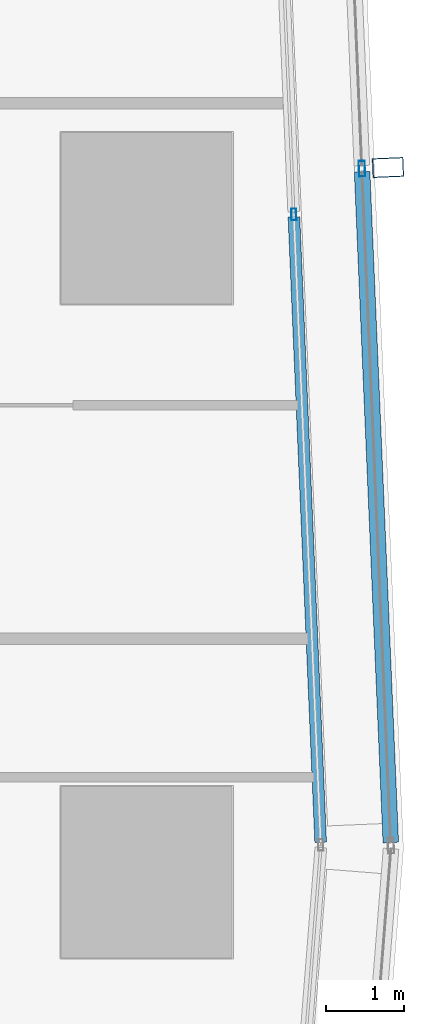
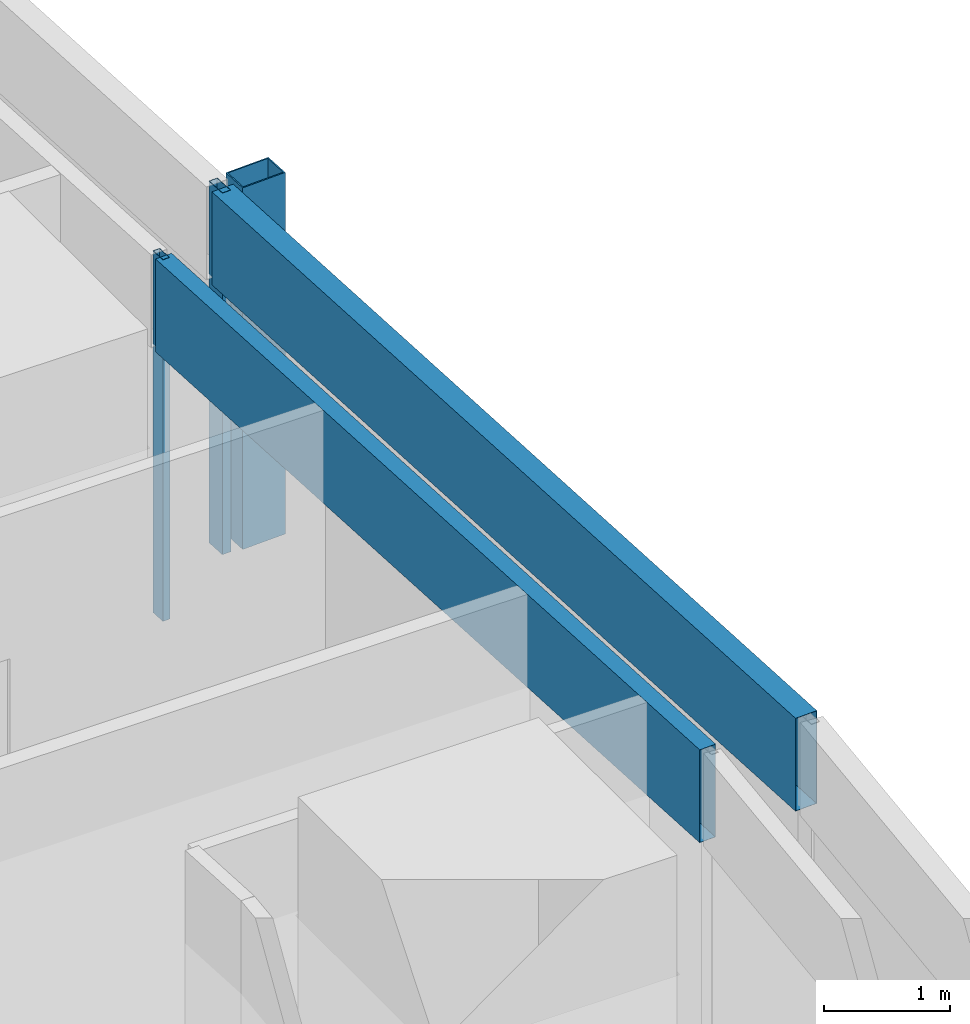
# One storey, part 27 of 45: 5 members, 2 elements without a shape of their own.
"""IFC4 building model written with IfcOpenShell, lengths in metres."""

from ifc_helpers import new_model, si_unit, direction, frame, origin, origin_2d, place, context, subcontext, project, spatial, hollow_rectangle, extrude, material, material_profile, profile_set, type_object, element, aggregate, save


model = new_model("IFC4")

# Units and contexts
model_context = context("Model", 3, precision=1e-05, world=origin(), true_north=direction((0.0, 1.0)))
body_context = subcontext(model_context, "Body", "Model", "MODEL_VIEW")
ifc_project = project(units=[si_unit("LENGTHUNIT", "METRE"), si_unit("AREAUNIT", "SQUARE_METRE"), si_unit("VOLUMEUNIT", "CUBIC_METRE"), si_unit("PLANEANGLEUNIT", "RADIAN"), si_unit("MASSUNIT", "GRAM", prefix="KILO")], contexts=[model_context])

# Site, building, storey
site_placement = place(None, origin())
site = spatial("IfcSite", under=ifc_project, at=site_placement, CompositionType="ELEMENT")
building_placement = place(site_placement, origin())
building = spatial("IfcBuilding", under=site, at=building_placement, Name="Rekha Terrace Tower", CompositionType="ELEMENT")
storey_placement = place(building_placement, frame((0.0, 0.0, 44.14990234375)))
storey = spatial("IfcBuildingStorey", under=building, at=storey_placement, Name="L10", CompositionType="ELEMENT", Elevation=44.14990234375)

# Curtain wall, member
ifc_material_1 = material(Name="Aluminium framing", Category="aluminium")
curtain_wall_type_1 = type_object("IfcCurtainWallType", Name="CW2 double skin outer glazing", PredefinedType="USERDEFINED", material=ifc_material_1)
curtain_wall_1_placement = place(storey_placement, origin())
curtain_wall_1 = element("IfcCurtainWall", 1, at=curtain_wall_1_placement, inside=storey, type_object=curtain_wall_type_1, Name="CW2 double skin outer glazing", ObjectType="DOUBLE SKIN OUTER GLAZING", PredefinedType="USERDEFINED")
ifc_material_2 = material(Name="Steel S355 with fluorocarbon finish", Category="steel")
ifc_material_profile_1 = material_profile(ifc_material_2, hollow_rectangle(XDim=0.25, YDim=0.39990234375, WallThickness=0.012451171875, at=origin_2d()), Name="RHS400x250x12.5")
ifc_profile_set_1 = profile_set([ifc_material_profile_1], Name="Steel S355 with fluorocarbon finish")
member_type_1 = type_object("IfcMemberType", Name="BL1 facade blade RHS 400 x 250", PredefinedType="USERDEFINED", material=ifc_profile_set_1)
member_1_placement = place(storey_placement, frame((70.301025390625, 34.2529296875, 0.0), z_axis=(0.0, 0.0, 1.0), x_axis=(-0.04269522475, 0.99908814315, 0.0)))
member_1 = element("IfcMember", 2, at=member_1_placement, type_object=member_type_1, Name="Facade blade", ObjectType="FACADE BLADE", PredefinedType="USERDEFINED", context=body_context, shape_type="SweptSolid", body=[
    extrude(hollow_rectangle(XDim=0.25, YDim=0.39990234375, WallThickness=0.012451171875, at=origin_2d()), origin(), (0.0, 0.0, 1.0), 3.5),
])

# Curtain wall, members
curtain_wall_type_2 = type_object("IfcCurtainWallType", Name="CW1 double skin inner glazing", PredefinedType="USERDEFINED", material=ifc_material_1)
curtain_wall_2_placement = place(storey_placement, origin())
curtain_wall_2 = element("IfcCurtainWall", 3, at=curtain_wall_2_placement, inside=storey, type_object=curtain_wall_type_2, Name="CW1 double skin inner glazing", ObjectType="DOUBLE SKIN INNER GLAZING", PredefinedType="USERDEFINED")
ifc_material_3 = material(Name="Aluminium mullion section", Category="aluminium")
ifc_material_profile_2 = material_profile(ifc_material_3, hollow_rectangle(XDim=0.06494140625, YDim=0.14990234375, WallThickness=0.00390625, at=origin_2d()), Name="AL RHS 65x150")
ifc_profile_set_2 = profile_set([ifc_material_profile_2], Name="Aluminium mullion section")
member_type_2 = type_object("IfcMemberType", Name="CW1 mullion RHS 65 x 150", PredefinedType="MULLION", material=ifc_profile_set_2)
member_2_placement = place(storey_placement, frame((69.0908203125, 33.650390625, 0.0), z_axis=(0.0, 0.0, 1.0), x_axis=(-0.999088106904, -0.042696072921, 0.0)))
member_2 = element("IfcMember", 4, at=member_2_placement, type_object=member_type_2, Name="CW1 mullion 2", PredefinedType="MULLION", context=body_context, shape_type="SweptSolid", body=[
    extrude(hollow_rectangle(XDim=0.06494140625, YDim=0.14990234375, WallThickness=0.00390625, at=origin_2d()), origin(), (0.0, 0.0, 1.0), 3.5),
])
ifc_material_4 = material(Name="Insulated aluminium spandrel box", Category="aluminium")
ifc_material_profile_3 = material_profile(ifc_material_4, hollow_rectangle(XDim=0.14990234375, YDim=0.89990234375, WallThickness=0.0029296875, at=origin_2d()), Name="AL SPANDREL BOX 150x900")
ifc_profile_set_3 = profile_set([ifc_material_profile_3], Name="Insulated aluminium spandrel box")
member_type_3 = type_object("IfcMemberType", Name="CW1 spandrel transom 150 x 900", PredefinedType="USERDEFINED", material=ifc_profile_set_3)
member_3_placement = place(storey_placement, frame((69.435546875, 25.584228515625, 3.050048828125), z_axis=(-0.042719126599, 0.999087121438, 0.0), x_axis=(-0.999087121438, -0.042719126599, 0.0)))
member_3 = element("IfcMember", 5, at=member_3_placement, type_object=member_type_3, Name="CW1 spandrel transom 1", ObjectType="TRANSOM", PredefinedType="USERDEFINED", context=body_context, shape_type="SweptSolid", body=[
    extrude(hollow_rectangle(XDim=0.14990234375, YDim=0.89990234375, WallThickness=0.0029296875, at=origin_2d()), origin(), (0.0, 0.0, 1.0), 8.041015625),
])
aggregate(curtain_wall_2, [member_2, member_3])

# Member
ifc_material_profile_4 = material_profile(ifc_material_3, hollow_rectangle(XDim=0.080078125, YDim=0.199951171875, WallThickness=0.00390625, at=origin_2d()), Name="AL RHS 80x200")
ifc_profile_set_4 = profile_set([ifc_material_profile_4], Name="Aluminium mullion section")
member_type_4 = type_object("IfcMemberType", Name="CW2 mullion RHS 80 x 200", PredefinedType="MULLION", material=ifc_profile_set_4)
member_4_placement = place(storey_placement, frame((69.96630859375, 34.23876953125, 0.0), z_axis=(0.0, 0.0, 1.0), x_axis=(-0.999088106903, -0.042696072956, 0.0)))
member_4 = element("IfcMember", 6, at=member_4_placement, type_object=member_type_4, Name="CW2 mullion 2", PredefinedType="MULLION", context=body_context, shape_type="SweptSolid", body=[
    extrude(hollow_rectangle(XDim=0.080078125, YDim=0.199951171875, WallThickness=0.00390625, at=origin_2d()), origin(), (0.0, 0.0, 1.0), 3.5),
])

ifc_material_profile_5 = material_profile(ifc_material_4, hollow_rectangle(XDim=0.199951171875, YDim=0.89990234375, WallThickness=0.0029296875, at=origin_2d()), Name="AL SPANDREL BOX 200x900")
ifc_profile_set_5 = profile_set([ifc_material_profile_5], Name="Insulated aluminium spandrel box")
member_type_5 = type_object("IfcMemberType", Name="CW2 spandrel transom 200 x 900", PredefinedType="USERDEFINED", material=ifc_profile_set_5)
member_5_placement = place(storey_placement, frame((70.33642578125, 25.582763671875, 3.050048828125), z_axis=(-0.042719742329, 0.99908709511, 0.0), x_axis=(-0.99908709511, -0.042719742329, 0.0)))
member_5 = element("IfcMember", 7, at=member_5_placement, type_object=member_type_5, Name="CW2 spandrel transom 1", ObjectType="TRANSOM", PredefinedType="USERDEFINED", context=body_context, shape_type="SweptSolid", body=[
    extrude(hollow_rectangle(XDim=0.199951171875, YDim=0.89990234375, WallThickness=0.0029296875, at=origin_2d()), origin(), (0.0, 0.0, 1.0), 8.623779296875),
])

aggregate(curtain_wall_1, [member_4, member_5, member_1])

save(model, "model.ifc")
